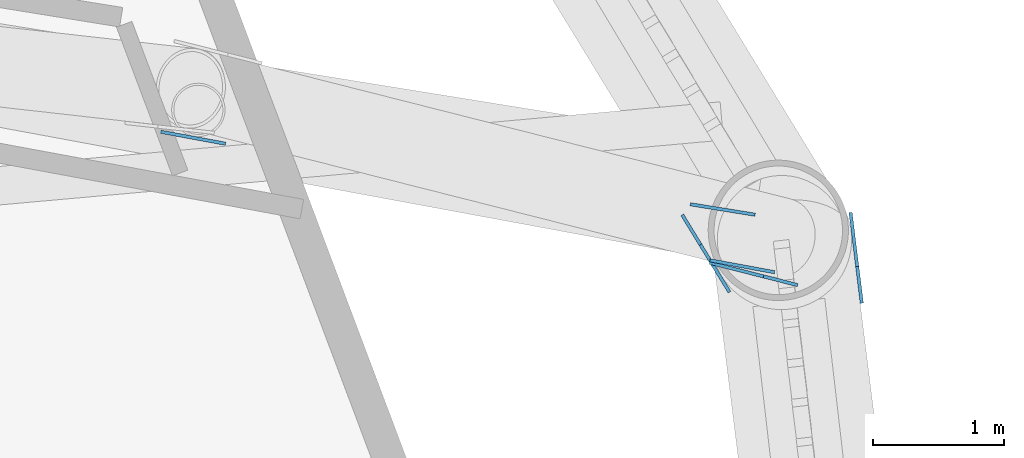
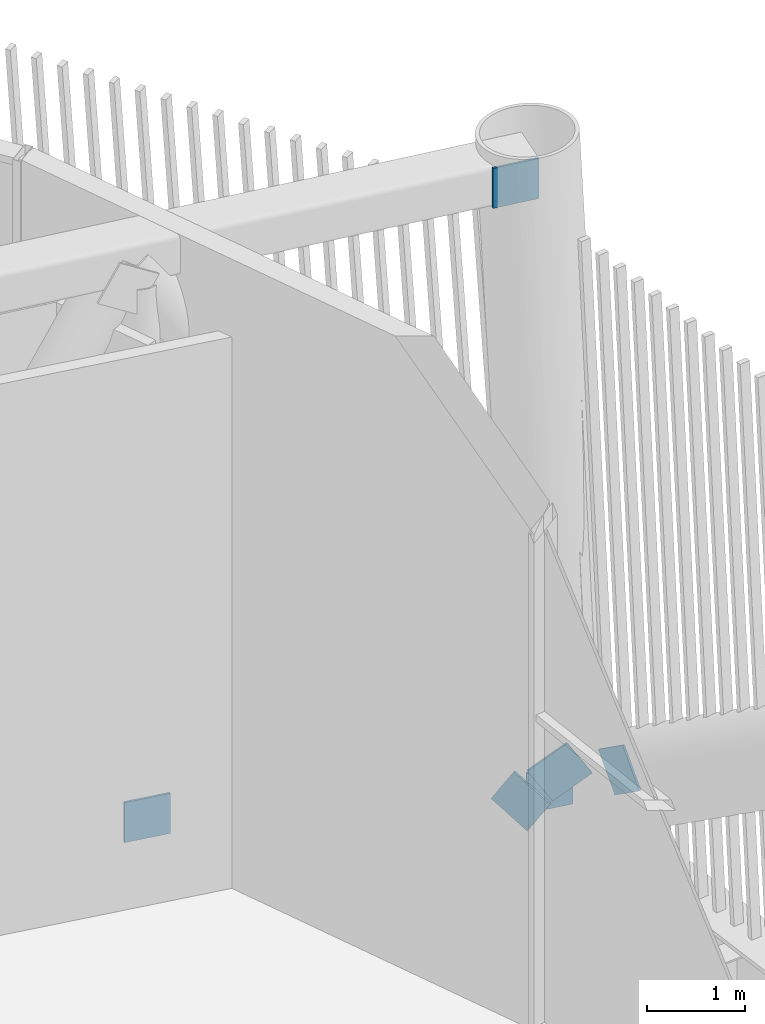
# One storey, part 41 of 55: 6 discrete accessories.
"""IFC4 building model written with IfcOpenShell, lengths in metres."""

from ifc_helpers import new_model, si_unit, direction, frame, origin, origin_2d, place, context, subcontext, project, spatial, rectangle, extrude, material, material_profile, profile_set, type_object, element, save


model = new_model("IFC4")

# Units and contexts
model_context = context("Model", 3, precision=1e-05, world=origin(), true_north=direction((0.0, 1.0)))
body_context = subcontext(model_context, "Body", "Model", "MODEL_VIEW")
ifc_project = project(units=[si_unit("LENGTHUNIT", "METRE"), si_unit("AREAUNIT", "SQUARE_METRE"), si_unit("VOLUMEUNIT", "CUBIC_METRE"), si_unit("PLANEANGLEUNIT", "RADIAN"), si_unit("MASSUNIT", "GRAM", prefix="KILO")], contexts=[model_context])

# Site, building, storey
site_placement = place(None, origin())
site = spatial("IfcSite", under=ifc_project, at=site_placement, CompositionType="ELEMENT")
building_placement = place(site_placement, origin())
building = spatial("IfcBuilding", under=site, at=building_placement, Name="Tarsis Ring Headquarters", CompositionType="ELEMENT")
storey_placement = place(building_placement, frame((0.0, 0.0, 247.199951171875)))
storey = spatial("IfcBuildingStorey", under=building, at=storey_placement, Name="L58", CompositionType="ELEMENT", Elevation=247.199951171875)

# Discrete accessories
ifc_material = material(Name="Structural steel S355", Category="steel")
ifc_material_profile = material_profile(ifc_material, rectangle(XDim=0.02490234375, YDim=0.5, at=origin_2d()), Name="PL 25x500")
ifc_profile_set = profile_set([ifc_material_profile], Name="Structural steel S355")
discrete_accessory_type_1 = type_object("IfcDiscreteAccessoryType", Name="Gusset plate Belt truss 25", PredefinedType="BRACKET", material=ifc_profile_set)
for number, where, z_axis, x_axis, name in (
    (1, (28.044189453125, 9.41796875, 0.0), (0.102036356143, -0.82019654699, 0.562908701595), (0.992350405933, 0.123453115976, 0.0), "Gusset plate GP4"),
    (2, (27.03662109375, 9.065673828125, 0.0), (-0.441839651069, 0.722566501196, 0.53167224311), (-0.853139309653, -0.521683158943, 0.0), "Gusset plate GP4"),
):
    element("IfcDiscreteAccessory", number, at=place(storey_placement, frame(where, z_axis=z_axis, x_axis=x_axis)), inside=storey, type_object=discrete_accessory_type_1, Name=name, PredefinedType="BRACKET", context=body_context, shape_type="SweptSolid", body=[
        extrude(rectangle(XDim=0.02490234375, YDim=0.5, at=origin_2d()), origin(), (0.0, 0.0, 1.0), 0.5),
    ])
discrete_accessory_type_2 = type_object("IfcDiscreteAccessoryType", Name="Gusset plate Outrigger 25", PredefinedType="BRACKET", material=ifc_profile_set)
discrete_accessory_placement = place(storey_placement, frame((27.419189453125, 9.05810546875, 0.254150390625), z_axis=(-0.517700457997, 0.131378701133, 0.845414615842), x_axis=(-0.245976586962, -0.969275770184, 0.0)))
element("IfcDiscreteAccessory", 3, at=discrete_accessory_placement, inside=storey, type_object=discrete_accessory_type_2, Name="Gusset plate GP1", PredefinedType="BRACKET", context=body_context, shape_type="SweptSolid", body=[
    extrude(rectangle(XDim=0.02490234375, YDim=0.5, at=origin_2d()), origin(), (0.0, 0.0, 1.0), 0.5),
])
discrete_accessory_type_3 = type_object("IfcDiscreteAccessoryType", Name="Gusset plate Outrigger chord 25", PredefinedType="BRACKET", material=ifc_profile_set)
for number, where, z_axis, x_axis, name in (
    (4, (27.44873046875, 9.103759765625, 0.254150390625), (-0.983366083554, 0.181634648998, 0.0), (-0.181634648998, -0.983366083554, 0.0), "Gusset plate GP3"),
    (5, (27.30126953125, 9.541259765625, 7.5859375), (-0.98725102255, 0.159171035287, 0.0), (-0.159171035287, -0.98725102255, 0.0), "Gusset plate GP3"),
    (6, (23.026123046875, 10.126708984375, 0.508056640625), (0.0, 0.0, 1.0), (-0.181766253402, -0.983341766185, 0.0), "Gusset plate GP3"),
):
    element("IfcDiscreteAccessory", number, at=place(storey_placement, frame(where, z_axis=z_axis, x_axis=x_axis)), inside=storey, type_object=discrete_accessory_type_3, Name=name, PredefinedType="BRACKET", context=body_context, shape_type="SweptSolid", body=[
        extrude(rectangle(XDim=0.02490234375, YDim=0.5, at=origin_2d()), origin(), (0.0, 0.0, 1.0), 0.5),
    ])

save(model, "model.ifc")
